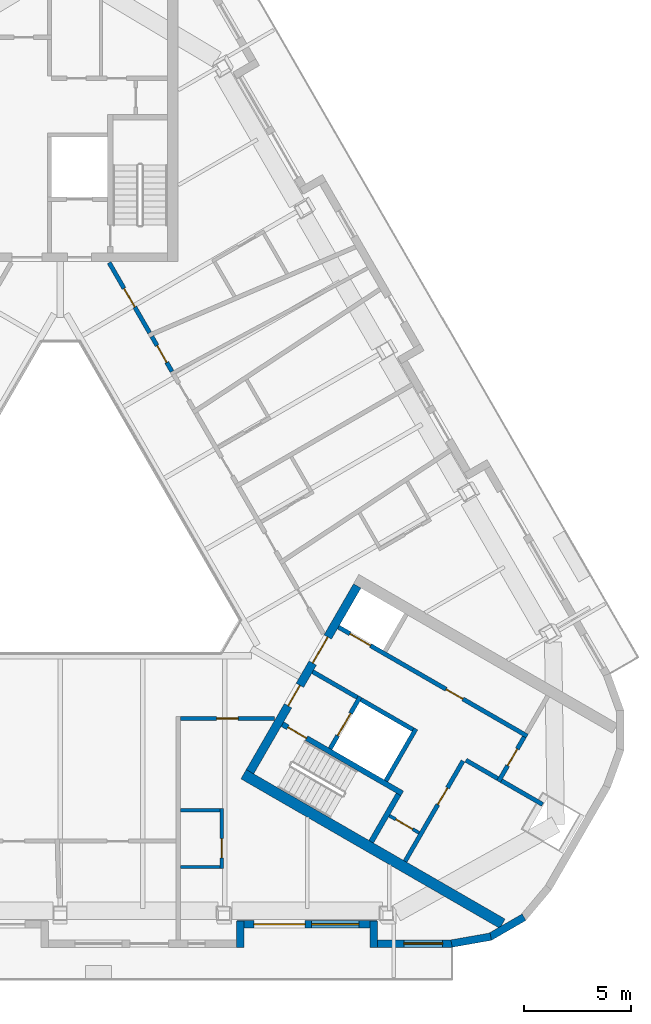
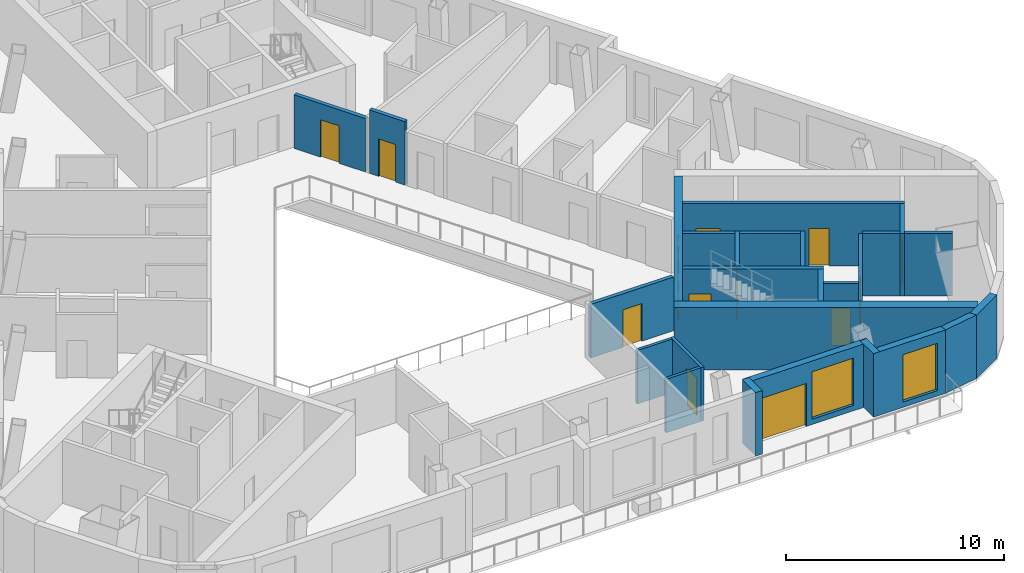
# One storey, part 5 of 14: 26 walls, 14 doors, 2 windows, 16 openings.
"""IFC4 building model written with IfcOpenShell, lengths in metres."""

from ifc_helpers import new_model, si_unit, direction, frame, frame_2d, origin, place, context, subcontext, project, spatial, rectangle, extrude, material, layer, layer_set, type_object, element, fill, save


model = new_model("IFC4")

# Units and contexts
model_context = context("Model", 3, precision=1e-05, world=origin(), true_north=direction((0.0, 1.0)))
body_context = subcontext(model_context, "Body", "Model", "MODEL_VIEW")
ifc_project = project(units=[si_unit("LENGTHUNIT", "METRE"), si_unit("AREAUNIT", "SQUARE_METRE"), si_unit("VOLUMEUNIT", "CUBIC_METRE"), si_unit("PLANEANGLEUNIT", "RADIAN"), si_unit("MASSUNIT", "GRAM", prefix="KILO")], contexts=[model_context])

# Site, building, storey
site_placement = place(None, origin())
site = spatial("IfcSite", under=ifc_project, at=site_placement, CompositionType="ELEMENT")
building_placement = place(site_placement, origin())
building = spatial("IfcBuilding", under=site, at=building_placement, Name="Apuvela Tower Hotel", CompositionType="ELEMENT")
storey_placement = place(building_placement, frame((0.0, 0.0, 265.199951171875)))
storey = spatial("IfcBuildingStorey", under=building, at=storey_placement, Name="L65", CompositionType="ELEMENT", Elevation=265.199951171875)

# Wall, openings, doors
ifc_material_1 = material(Name="Concrete C50/60", Category="concrete")
ifc_layer_1 = layer(ifc_material_1, 0.39990234375)
ifc_layer_set_1 = layer_set([ifc_layer_1], Name="COR-WALL-CORE-400")
wall_type_1 = type_object("IfcWallType", Name="COR-WALL-CORE-400", PredefinedType="SHEAR", material=ifc_layer_set_1)
wall_1_placement = place(storey_placement, frame((8.844970703125, -10.880126953125, 0.0), z_axis=(0.0, 0.0, 1.0), x_axis=(0.500004234368, 0.866022959057, 0.0)))
wall_1 = element("IfcWall", 1, at=wall_1_placement, inside=storey, type_object=wall_type_1, Name="Core wall SE", PredefinedType="SHEAR", context=body_context, shape_type="SweptSolid", body=[
    extrude(rectangle(XDim=10.0, YDim=0.39990234375, at=frame_2d((5.0, 0.0))), origin(), (0.0, 0.0, 1.0), 3.5),
])
opening_1_placement = place(wall_1_placement, frame((3.550048828125, 0.0, 0.0)))
opening_1 = element("IfcOpeningElement", 2, at=opening_1_placement, cuts=wall_1, Name="Opening E-FD", PredefinedType="OPENING", context=body_context, shape_type="SweptSolid", body=[
    extrude(rectangle(XDim=1.10009765625, YDim=2.10009765625, at=frame_2d((0.550048828125, 1.050048828125))), frame((0.0, 0.2099609375, 0.0), z_axis=(0.0, -1.0, 0.0), x_axis=(1.0, 0.0, 0.0)), (0.0, 0.0, 1.0), 0.419921875),
])
opening_2_placement = place(wall_1_placement, frame((5.85009765625, 0.0, 0.0)))
opening_2 = element("IfcOpeningElement", 3, at=opening_2_placement, cuts=wall_1, Name="Opening E-GD", PredefinedType="OPENING", context=body_context, shape_type="SweptSolid", body=[
    extrude(rectangle(XDim=1.39990234375, YDim=2.10009765625, at=frame_2d((0.699951171875, 1.050048828125))), frame((0.0, 0.2099609375, 0.0), z_axis=(0.0, -1.0, 0.0), x_axis=(1.0, 0.0, 0.0)), (0.0, 0.0, 1.0), 0.419921875),
])
ifc_material_2 = material(Name="Steel fire door, powder coated", Category="steel")
door_type_1 = type_object("IfcDoorType", Name="COR-FD-1100", OperationType="NOTDEFINED", PredefinedType="DOOR", material=ifc_material_2)
door_1_placement = place(opening_1_placement, frame((1.10009765625, 0.0, 0.0), z_axis=(0.0, 0.0, 1.0), x_axis=(-1.0, 0.0, 0.0)))
door_1 = element("IfcDoor", 4, at=door_1_placement, inside=storey, type_object=door_type_1, Name="Firefighting lobby door E-FD", OperationType="SINGLE_SWING_LEFT", OverallHeight=2.10009765625, OverallWidth=1.10009765625, PredefinedType="DOOR", context=body_context, shape_type="SweptSolid", body=[
    extrude(rectangle(XDim=1.10009765625, YDim=2.10009765625, at=frame_2d((0.550048828125, 1.050048828125))), frame((0.0, 0.02490234375, 0.0), z_axis=(0.0, -1.0, 0.0), x_axis=(1.0, 0.0, 0.0)), (0.0, 0.0, 1.0), 0.050048828125),
])
fill(opening_1, door_1)
ifc_material_3 = material(Name="Glazed steel fire door", Category="steel")
door_type_2 = type_object("IfcDoorType", Name="COR-GD-1400", OperationType="DOUBLE_DOOR_SINGLE_SWING", PredefinedType="DOOR", material=ifc_material_3)
door_2_placement = place(opening_2_placement, frame((1.39990234375, 0.0, 0.0), z_axis=(0.0, 0.0, 1.0), x_axis=(-1.0, 0.0, 0.0)))
door_2 = element("IfcDoor", 5, at=door_2_placement, inside=storey, type_object=door_type_2, Name="Lift lobby door E-GD", OperationType="DOUBLE_DOOR_SINGLE_SWING", OverallHeight=2.10009765625, OverallWidth=1.39990234375, PredefinedType="DOOR", context=body_context, shape_type="SweptSolid", body=[
    extrude(rectangle(XDim=1.39990234375, YDim=2.10009765625, at=frame_2d((0.699951171875, 1.050048828125))), frame((0.0, 0.02490234375, 0.0), z_axis=(0.0, -1.0, 0.0), x_axis=(1.0, 0.0, 0.0)), (0.0, 0.0, 1.0), 0.050048828125),
])
fill(opening_2, door_2)

# Wall
ifc_layer_2 = layer(ifc_material_1, 0.5)
ifc_layer_set_2 = layer_set([ifc_layer_2], Name="COR-WALL-CORE-500")
wall_type_2 = type_object("IfcWallType", Name="COR-WALL-CORE-500", PredefinedType="SHEAR", material=ifc_layer_set_2)
wall_2_placement = place(storey_placement, frame((8.546630859375, -10.99658203125, 0.0), z_axis=(0.0, 0.0, 1.0), x_axis=(0.86602744543, -0.49999646375, 0.0)))
element("IfcWall", 6, at=wall_2_placement, inside=storey, type_object=wall_type_2, Name="Core wall SE", PredefinedType="SHEAR", context=body_context, shape_type="SweptSolid", body=[
    extrude(rectangle(XDim=13.93408203125, YDim=0.5, at=frame_2d((6.967041015625, 0.0))), origin(), (0.0, 0.0, 1.0), 3.5),
])

# Wall, opening, door
ifc_material_4 = material(Name="Blockwork 150 mm plastered", Category="masonry")
ifc_layer_3 = layer(ifc_material_4, 0.14990234375)
ifc_layer_set_3 = layer_set([ifc_layer_3], Name="COR-WALL-PART-150")
wall_type_3 = type_object("IfcWallType", Name="COR-WALL-PART-150", PredefinedType="PARTITIONING", material=ifc_layer_set_3)
wall_3_placement = place(storey_placement, frame((15.341552734375, -12.927734375, 0.0), z_axis=(0.0, 0.0, 1.0), x_axis=(0.865989903783, -0.500061482766, 0.0)))
wall_3 = element("IfcWall", 7, at=wall_3_placement, inside=storey, type_object=wall_type_3, Name="Partition SE", PredefinedType="PARTITIONING", context=body_context, shape_type="SweptSolid", body=[
    extrude(rectangle(XDim=1.599853515625, YDim=0.14990234375, at=frame_2d((0.7998046875, 0.0))), origin(), (0.0, 0.0, 1.0), 3.5),
])
opening_3_placement = place(wall_3_placement, frame((0.35009765625, 0.0, 0.0)))
opening_3 = element("IfcOpeningElement", 8, at=opening_3_placement, cuts=wall_3, Name="Opening E-RD", PredefinedType="OPENING", context=body_context, shape_type="SweptSolid", body=[
    extrude(rectangle(XDim=0.89990234375, YDim=2.10009765625, at=frame_2d((0.449951171875, 1.050048828125))), frame((0.0, 0.0849609375, 0.0), z_axis=(0.0, -1.0, 0.0), x_axis=(1.0, 0.0, 0.0)), (0.0, 0.0, 1.0), 0.169921875),
])
ifc_material_5 = material(Name="Steel access door, powder coated", Category="steel")
door_type_3 = type_object("IfcDoorType", Name="COR-RD-900", OperationType="NOTDEFINED", PredefinedType="DOOR", material=ifc_material_5)
door_3_placement = place(opening_3_placement, frame((0.89990234375, 0.0, 0.0), z_axis=(0.0, 0.0, 1.0), x_axis=(-1.0, 0.0, 0.0)))
door_3 = element("IfcDoor", 9, at=door_3_placement, inside=storey, type_object=door_type_3, Name="Riser door E-RD", OperationType="SINGLE_SWING_LEFT", OverallHeight=2.10009765625, OverallWidth=0.89990234375, PredefinedType="DOOR", context=body_context, shape_type="SweptSolid", body=[
    extrude(rectangle(XDim=0.89990234375, YDim=2.10009765625, at=frame_2d((0.449951171875, 1.050048828125))), frame((0.0, 0.02490234375, 0.0), z_axis=(0.0, -1.0, 0.0), x_axis=(1.0, 0.0, 0.0)), (0.0, 0.0, 1.0), 0.050048828125),
])
fill(opening_3, door_3)

ifc_material_6 = material(Name="Blockwork 200 mm plastered", Category="masonry")
ifc_layer_4 = layer(ifc_material_6, 0.199951171875)
ifc_layer_set_4 = layer_set([ifc_layer_4], Name="COR-WALL-PART-200")
wall_type_4 = type_object("IfcWallType", Name="COR-WALL-PART-200", PredefinedType="PARTITIONING", material=ifc_layer_set_4)
wall_4_placement = place(storey_placement, frame((16.076171875, -15.05517578125, 0.0), z_axis=(0.0, 0.0, 1.0), x_axis=(0.499995103361, 0.866028230842, 0.0)))
wall_4 = element("IfcWall", 10, at=wall_4_placement, inside=storey, type_object=wall_type_4, Name="Partition SE", PredefinedType="PARTITIONING", context=body_context, shape_type="SweptSolid", body=[
    extrude(rectangle(XDim=5.39990234375, YDim=0.199951171875, at=frame_2d((2.699951171875, 0.0))), origin(), (0.0, 0.0, 1.0), 3.5),
])
opening_4_placement = place(wall_4_placement, frame((3.050048828125, 0.0, 0.0)))
opening_4 = element("IfcOpeningElement", 11, at=opening_4_placement, cuts=wall_4, Name="Opening E-RS1", PredefinedType="OPENING", context=body_context, shape_type="SweptSolid", body=[
    extrude(rectangle(XDim=0.89990234375, YDim=2.10009765625, at=frame_2d((0.449951171875, 1.050048828125))), frame((0.0, 0.10986328125, 0.0), z_axis=(0.0, -1.0, 0.0), x_axis=(1.0, 0.0, 0.0)), (0.0, 0.0, 1.0), 0.219970703125),
])
door_type_4 = type_object("IfcDoorType", Name="COR-DR-900", OperationType="NOTDEFINED", PredefinedType="DOOR", material=ifc_material_2)
door_4_placement = place(opening_4_placement, frame((0.89990234375, 0.0, 0.0), z_axis=(0.0, 0.0, 1.0), x_axis=(-1.0, 0.0, 0.0)))
door_4 = element("IfcDoor", 12, at=door_4_placement, inside=storey, type_object=door_type_4, Name="Store door E-RS1", OperationType="SINGLE_SWING_LEFT", OverallHeight=2.10009765625, OverallWidth=0.89990234375, PredefinedType="DOOR", context=body_context, shape_type="SweptSolid", body=[
    extrude(rectangle(XDim=0.89990234375, YDim=2.10009765625, at=frame_2d((0.449951171875, 1.050048828125))), frame((0.0, 0.02490234375, 0.0), z_axis=(0.0, -1.0, 0.0), x_axis=(1.0, 0.0, 0.0)), (0.0, 0.0, 1.0), 0.050048828125),
])
fill(opening_4, door_4)

# Wall
ifc_layer_5 = layer(ifc_material_1, 0.199951171875)
ifc_layer_set_5 = layer_set([ifc_layer_5], Name="COR-WALL-SHAFT-200")
wall_type_5 = type_object("IfcWallType", Name="COR-WALL-SHAFT-200", PredefinedType="SHEAR", material=ifc_layer_set_5)
wall_5_placement = place(storey_placement, frame((15.181396484375, -11.305419921875, 0.0), z_axis=(0.0, 0.0, 1.0), x_axis=(0.49994636267, 0.866056369097, 0.0)))
element("IfcWall", 13, at=wall_5_placement, inside=storey, type_object=wall_type_5, Name="Shaft wall SE", PredefinedType="SHEAR", context=body_context, shape_type="SweptSolid", body=[
    extrude(rectangle(XDim=2.800048828125, YDim=0.199951171875, at=frame_2d((1.39990234375, 0.0))), origin(), (0.0, 0.0, 1.0), 3.5),
])

# Wall, opening, door
wall_6_placement = place(storey_placement, frame((12.583251953125, -9.805419921875, 0.0), z_axis=(0.0, 0.0, 1.0), x_axis=(0.49994636267, 0.866056369097, 0.0)))
wall_6 = element("IfcWall", 14, at=wall_6_placement, inside=storey, type_object=wall_type_5, Name="Shaft wall SE", PredefinedType="SHEAR", context=body_context, shape_type="SweptSolid", body=[
    extrude(rectangle(XDim=2.800048828125, YDim=0.199951171875, at=frame_2d((1.39990234375, 0.0))), origin(), (0.0, 0.0, 1.0), 3.5),
])
opening_5_placement = place(wall_6_placement, frame((0.699951171875, 0.0, 0.0)))
opening_5 = element("IfcOpeningElement", 15, at=opening_5_placement, cuts=wall_6, Name="Opening E-LD-FS3", PredefinedType="OPENING", context=body_context, shape_type="SweptSolid", body=[
    extrude(rectangle(XDim=1.199951171875, YDim=2.10009765625, at=frame_2d((0.60009765625, 1.050048828125))), frame((0.0, 0.10986328125, 0.0), z_axis=(0.0, -1.0, 0.0), x_axis=(1.0, 0.0, 0.0)), (0.0, 0.0, 1.0), 0.219970703125),
])
ifc_material_7 = material(Name="Stainless steel lift landing door", Category="steel")
door_type_5 = type_object("IfcDoorType", Name="COR-LD-1200", OperationType="DOUBLE_DOOR_SLIDING", PredefinedType="DOOR", material=ifc_material_7)
door_5_placement = place(opening_5_placement, origin())
door_5 = element("IfcDoor", 16, at=door_5_placement, inside=storey, type_object=door_type_5, Name="Lift landing door E-LD-FS3", OperationType="DOUBLE_DOOR_SLIDING", OverallHeight=2.10009765625, OverallWidth=1.199951171875, PredefinedType="DOOR", context=body_context, shape_type="SweptSolid", body=[
    extrude(rectangle(XDim=1.199951171875, YDim=2.10009765625, at=frame_2d((0.60009765625, 1.050048828125))), frame((0.0, 0.02490234375, 0.0), z_axis=(0.0, -1.0, 0.0), x_axis=(1.0, 0.0, 0.0)), (0.0, 0.0, 1.0), 0.050048828125),
])
fill(opening_5, door_5)

# Walls
wall_7_placement = place(storey_placement, frame((11.76806640625, -6.217041015625, 0.0), z_axis=(0.0, 0.0, 1.0), x_axis=(0.866050077142, -0.499957262057, 0.0)))
element("IfcWall", 17, at=wall_7_placement, inside=storey, type_object=wall_type_5, Name="Shaft wall SE", PredefinedType="SHEAR", context=body_context, shape_type="SweptSolid", body=[
    extrude(rectangle(XDim=2.400146484375, YDim=0.199951171875, at=frame_2d((1.2001953125, 0.0))), origin(), (0.0, 0.0, 1.0), 3.5),
])
wall_8_placement = place(storey_placement, frame((14.019775390625, -7.51708984375, 0.0), z_axis=(0.0, 0.0, 1.0), x_axis=(0.866034573852, -0.49998411664, 0.0)))
element("IfcWall", 18, at=wall_8_placement, inside=storey, type_object=wall_type_5, Name="Shaft wall SE", PredefinedType="SHEAR", context=body_context, shape_type="SweptSolid", body=[
    extrude(rectangle(XDim=2.7998046875, YDim=0.199951171875, at=frame_2d((1.39990234375, 0.0))), origin(), (0.0, 0.0, 1.0), 3.5),
])

# Wall, openings, doors
wall_9_placement = place(storey_placement, frame((12.968017578125, -4.138427734375, 0.0), z_axis=(0.0, 0.0, 1.0), x_axis=(0.866028328073, -0.49999493495, 0.0)))
wall_9 = element("IfcWall", 19, at=wall_9_placement, inside=storey, type_object=wall_type_5, Name="Shaft wall SE", PredefinedType="SHEAR", context=body_context, shape_type="SweptSolid", body=[
    extrude(rectangle(XDim=10.16015625, YDim=0.199951171875, at=frame_2d((5.080078125, 0.0))), origin(), (0.0, 0.0, 1.0), 3.5),
])
opening_6_placement = place(wall_9_placement, frame((0.6201171875, 0.0, 0.0)))
opening_6 = element("IfcOpeningElement", 20, at=opening_6_placement, cuts=wall_9, Name="Opening E-LD-HR3", PredefinedType="OPENING", context=body_context, shape_type="SweptSolid", body=[
    extrude(rectangle(XDim=1.10009765625, YDim=2.10009765625, at=frame_2d((0.550048828125, 1.050048828125))), frame((0.0, 0.10986328125, 0.0), z_axis=(0.0, -1.0, 0.0), x_axis=(1.0, 0.0, 0.0)), (0.0, 0.0, 1.0), 0.219970703125),
])
opening_7_placement = place(wall_9_placement, frame((5.800048828125, 0.0, 0.0)))
opening_7 = element("IfcOpeningElement", 21, at=opening_7_placement, cuts=wall_9, Name="Opening E-RE2", PredefinedType="OPENING", context=body_context, shape_type="SweptSolid", body=[
    extrude(rectangle(XDim=0.89990234375, YDim=2.10009765625, at=frame_2d((0.449951171875, 1.050048828125))), frame((0.0, 0.10986328125, 0.0), z_axis=(0.0, -1.0, 0.0), x_axis=(1.0, 0.0, 0.0)), (0.0, 0.0, 1.0), 0.219970703125),
])
door_6_placement = place(opening_7_placement, origin())
door_6 = element("IfcDoor", 22, at=door_6_placement, inside=storey, type_object=door_type_4, Name="Store door E-RE2", OperationType="SINGLE_SWING_LEFT", OverallHeight=2.10009765625, OverallWidth=0.89990234375, PredefinedType="DOOR", context=body_context, shape_type="SweptSolid", body=[
    extrude(rectangle(XDim=0.89990234375, YDim=2.10009765625, at=frame_2d((0.449951171875, 1.050048828125))), frame((0.0, 0.02490234375, 0.0), z_axis=(0.0, -1.0, 0.0), x_axis=(1.0, 0.0, 0.0)), (0.0, 0.0, 1.0), 0.050048828125),
])
fill(opening_7, door_6)
door_type_6 = type_object("IfcDoorType", Name="COR-LD-1100", OperationType="DOUBLE_DOOR_SLIDING", PredefinedType="DOOR", material=ifc_material_7)
door_7_placement = place(opening_6_placement, origin())
door_7 = element("IfcDoor", 23, at=door_7_placement, inside=storey, type_object=door_type_6, Name="Lift landing door E-LD-HR3", OperationType="DOUBLE_DOOR_SLIDING", OverallHeight=2.10009765625, OverallWidth=1.10009765625, PredefinedType="DOOR", context=body_context, shape_type="SweptSolid", body=[
    extrude(rectangle(XDim=1.10009765625, YDim=2.10009765625, at=frame_2d((0.550048828125, 1.050048828125))), frame((0.0, 0.02490234375, 0.0), z_axis=(0.0, -1.0, 0.0), x_axis=(1.0, 0.0, 0.0)), (0.0, 0.0, 1.0), 0.050048828125),
])
fill(opening_6, door_7)

# Wall, opening, door
wall_10_placement = place(storey_placement, frame((20.430419921875, -11.33349609375, 0.0), z_axis=(0.0, 0.0, 1.0), x_axis=(0.500001309137, 0.866024647952, 0.0)))
wall_10 = element("IfcWall", 24, at=wall_10_placement, inside=storey, type_object=wall_type_5, Name="Shaft wall SE", PredefinedType="SHEAR", context=body_context, shape_type="SweptSolid", body=[
    extrude(rectangle(XDim=2.39990234375, YDim=0.199951171875, at=frame_2d((1.199951171875, 0.0))), origin(), (0.0, 0.0, 1.0), 3.5),
])
opening_8_placement = place(wall_10_placement, frame((0.85009765625, 0.0, 0.0)))
opening_8 = element("IfcOpeningElement", 25, at=opening_8_placement, cuts=wall_10, Name="Opening E-REP", PredefinedType="OPENING", context=body_context, shape_type="SweptSolid", body=[
    extrude(rectangle(XDim=0.89990234375, YDim=2.10009765625, at=frame_2d((0.449951171875, 1.050048828125))), frame((0.0, 0.10986328125, 0.0), z_axis=(0.0, -1.0, 0.0), x_axis=(1.0, 0.0, 0.0)), (0.0, 0.0, 1.0), 0.219970703125),
])
door_8_placement = place(opening_8_placement, frame((0.89990234375, 0.0, 0.0), z_axis=(0.0, 0.0, 1.0), x_axis=(-1.0, 0.0, 0.0)))
door_8 = element("IfcDoor", 26, at=door_8_placement, inside=storey, type_object=door_type_4, Name="Store door E-REP", OperationType="SINGLE_SWING_RIGHT", OverallHeight=2.10009765625, OverallWidth=0.89990234375, PredefinedType="DOOR", context=body_context, shape_type="SweptSolid", body=[
    extrude(rectangle(XDim=0.89990234375, YDim=2.10009765625, at=frame_2d((0.449951171875, 1.050048828125))), frame((0.0, 0.02490234375, 0.0), z_axis=(0.0, -1.0, 0.0), x_axis=(1.0, 0.0, 0.0)), (0.0, 0.0, 1.0), 0.050048828125),
])
fill(opening_8, door_8)

# Walls
wall_11_placement = place(storey_placement, frame((18.912841796875, -10.342041015625, 0.0), z_axis=(0.0, 0.0, 1.0), x_axis=(0.866038183914, -0.499977863513, 0.0)))
element("IfcWall", 27, at=wall_11_placement, inside=storey, type_object=wall_type_5, Name="Shaft wall SE", PredefinedType="SHEAR", context=body_context, shape_type="SweptSolid", body=[
    extrude(rectangle(XDim=1.7099609375, YDim=0.199951171875, at=frame_2d((0.85498046875, 0.0))), origin(), (0.0, 0.0, 1.0), 3.5),
])
wall_12_placement = place(storey_placement, frame((20.56689453125, -11.297119140625, 0.0), z_axis=(0.0, 0.0, 1.0), x_axis=(0.866079196458, -0.49990681678, 0.0)))
element("IfcWall", 28, at=wall_12_placement, inside=storey, type_object=wall_type_5, Name="Shaft wall SE", PredefinedType="SHEAR", context=body_context, shape_type="SweptSolid", body=[
    extrude(rectangle(XDim=2.21630859375, YDim=0.199951171875, at=frame_2d((1.108154296875, 0.0))), origin(), (0.0, 0.0, 1.0), 3.5),
])

# Wall, opening, door
ifc_layer_6 = layer(ifc_material_1, 0.25)
ifc_layer_set_6 = layer_set([ifc_layer_6], Name="COR-WALL-STAIR-250")
wall_type_6 = type_object("IfcWallType", Name="COR-WALL-STAIR-250", PredefinedType="SHEAR", material=ifc_layer_set_6)
wall_13_placement = place(storey_placement, frame((10.355712890625, -8.66357421875, 0.0), z_axis=(0.0, 0.0, 1.0), x_axis=(0.866028629588, -0.499994412703, 0.0)))
wall_13 = element("IfcWall", 29, at=wall_13_placement, inside=storey, type_object=wall_type_6, Name="Stair wall SE", PredefinedType="SHEAR", context=body_context, shape_type="SweptSolid", body=[
    extrude(rectangle(XDim=6.44970703125, YDim=0.25, at=frame_2d((3.224853515625, 0.0))), origin(), (0.0, 0.0, 1.0), 3.5),
])
opening_9_placement = place(wall_13_placement, frame((0.300048828125, 0.0, 0.0)))
opening_9 = element("IfcOpeningElement", 30, at=opening_9_placement, cuts=wall_13, Name="Opening E-SD", PredefinedType="OPENING", context=body_context, shape_type="SweptSolid", body=[
    extrude(rectangle(XDim=1.0, YDim=2.10009765625, at=frame_2d((0.5, 1.050048828125))), frame((0.0, 0.135009765625, 0.0), z_axis=(0.0, -1.0, 0.0), x_axis=(1.0, 0.0, 0.0)), (0.0, 0.0, 1.0), 0.27001953125),
])
door_type_7 = type_object("IfcDoorType", Name="COR-SD-1000", OperationType="NOTDEFINED", PredefinedType="DOOR", material=ifc_material_2)
door_9_placement = place(opening_9_placement, frame((1.0, 0.0, 0.0), z_axis=(0.0, 0.0, 1.0), x_axis=(-1.0, 0.0, 0.0)))
door_9 = element("IfcDoor", 31, at=door_9_placement, inside=storey, type_object=door_type_7, Name="Stair door E-SD", OperationType="SINGLE_SWING_LEFT", OverallHeight=2.10009765625, OverallWidth=1.0, PredefinedType="DOOR", context=body_context, shape_type="SweptSolid", body=[
    extrude(rectangle(XDim=1.0, YDim=2.10009765625, at=frame_2d((0.5, 1.050048828125))), frame((0.0, 0.02490234375, 0.0), z_axis=(0.0, -1.0, 0.0), x_axis=(1.0, 0.0, 0.0)), (0.0, 0.0, 1.0), 0.050048828125),
])
fill(opening_9, door_9)

# Walls
wall_14_placement = place(storey_placement, frame((14.49560546875, -14.142578125, 0.0), z_axis=(0.0, 0.0, 1.0), x_axis=(0.500062241894, 0.865989465428, 0.0)))
element("IfcWall", 32, at=wall_14_placement, inside=storey, type_object=wall_type_6, Name="Stair wall SE", PredefinedType="SHEAR", context=body_context, shape_type="SweptSolid", body=[
    extrude(rectangle(XDim=2.550048828125, YDim=0.25, at=frame_2d((1.27490234375, 0.0))), origin(), (0.0, 0.0, 1.0), 3.5),
])
ifc_material_8 = material(Name="Concrete C40/50, dark pigmented precast panel", Category="concrete")
ifc_layer_7 = layer(ifc_material_8, 0.35009765625)
ifc_layer_set_7 = layer_set([ifc_layer_7], Name="ENV-WALL-350")
wall_type_7 = type_object("IfcWallType", Name="ENV-WALL-350", PredefinedType="SOLIDWALL", material=ifc_layer_set_7)
wall_15_placement = place(storey_placement, frame((8.396728515625, -19.06298828125, 0.0), z_axis=(0.0, 0.0, 1.0), x_axis=(0.0, 1.0, 0.0)))
element("IfcWall", 33, at=wall_15_placement, inside=storey, type_object=wall_type_7, Name="External wall L65-22", PredefinedType="SOLIDWALL", context=body_context, shape_type="SweptSolid", body=[
    extrude(rectangle(XDim=1.219970703125, YDim=0.35009765625, at=frame_2d((0.60986328125, 0.0))), origin(), (0.0, 0.0, 1.0), 3.550048828125),
])

# Wall, openings, door, window
wall_16_placement = place(storey_placement, frame((8.251708984375, -17.98779296875, 0.0), z_axis=(0.0, 0.0, 1.0), x_axis=(1.0, 0.0, 0.0)))
wall_16 = element("IfcWall", 34, at=wall_16_placement, inside=storey, type_object=wall_type_7, Name="External wall L65-23", PredefinedType="SOLIDWALL", context=body_context, shape_type="SweptSolid", body=[
    extrude(rectangle(XDim=6.51171875, YDim=0.35009765625, at=frame_2d((3.255859375, 0.0))), origin(), (0.0, 0.0, 1.0), 3.550048828125),
])
opening_10_placement = place(wall_16_placement, frame((0.77001953125, 0.0, 0.0)))
opening_10 = element("IfcOpeningElement", 35, at=opening_10_placement, cuts=wall_16, Name="Opening BD24", PredefinedType="OPENING", context=body_context, shape_type="SweptSolid", body=[
    extrude(rectangle(XDim=2.39990234375, YDim=2.39990234375, at=frame_2d((1.199951171875, 1.199951171875))), frame((0.0, 0.18505859375, 0.0), z_axis=(0.0, -1.0, 0.0), x_axis=(1.0, 0.0, 0.0)), (0.0, 0.0, 1.0), 0.3701171875),
])
opening_11_placement = place(wall_16_placement, frame((3.469970703125, 0.0, 0.300048828125)))
opening_11 = element("IfcOpeningElement", 36, at=opening_11_placement, cuts=wall_16, Name="Opening WN22", PredefinedType="OPENING", context=body_context, shape_type="SweptSolid", body=[
    extrude(rectangle(XDim=2.199951171875, YDim=2.64990234375, at=frame_2d((1.10009765625, 1.324951171875))), frame((0.0, 0.18505859375, 0.0), z_axis=(0.0, -1.0, 0.0), x_axis=(1.0, 0.0, 0.0)), (0.0, 0.0, 1.0), 0.3701171875),
])
ifc_material_9 = material(Name="Aluminium 6063-T6, dark bronze anodised frame with dark tinted laminated glass", Category="aluminium")
door_type_8 = type_object("IfcDoorType", Name="ENV-DOOR-BALCONY-2400x2400", OperationType="SLIDING_TO_LEFT", PredefinedType="DOOR", material=ifc_material_9)
door_10_placement = place(opening_10_placement, frame((2.39990234375, 0.0, 0.0), z_axis=(0.0, 0.0, 1.0), x_axis=(-1.0, 0.0, 0.0)))
door_10 = element("IfcDoor", 37, at=door_10_placement, inside=storey, type_object=door_type_8, Name="Balcony door BD24", OperationType="SLIDING_TO_LEFT", OverallHeight=2.39990234375, OverallWidth=2.39990234375, PredefinedType="DOOR", context=body_context, shape_type="SweptSolid", body=[
    extrude(rectangle(XDim=2.39990234375, YDim=2.39990234375, at=frame_2d((1.199951171875, 1.199951171875))), frame((0.0, 0.02490234375, 0.0), z_axis=(0.0, -1.0, 0.0), x_axis=(1.0, 0.0, 0.0)), (0.0, 0.0, 1.0), 0.050048828125),
])
fill(opening_10, door_10)
ifc_material_10 = material(Name="Glass, dark tinted laminated insulated glazing unit", Category="glass")
window_type_1 = type_object("IfcWindowType", Name="ENV-WIN-2200x2650", PartitioningType="SINGLE_PANEL", PredefinedType="WINDOW", material=ifc_material_10)
window_1_placement = place(opening_11_placement, origin())
window_1 = element("IfcWindow", 38, at=window_1_placement, inside=storey, type_object=window_type_1, Name="Window WN22", OverallHeight=2.64990234375, OverallWidth=2.199951171875, PartitioningType="SINGLE_PANEL", PredefinedType="WINDOW", context=body_context, shape_type="SweptSolid", body=[
    extrude(rectangle(XDim=2.199951171875, YDim=2.64990234375, at=frame_2d((1.10009765625, 1.324951171875))), frame((0.0, 0.030029296875, 0.0), z_axis=(0.0, -1.0, 0.0), x_axis=(1.0, 0.0, 0.0)), (0.0, 0.0, 1.0), 0.06005859375),
])
fill(opening_11, window_1)

# Wall
wall_17_placement = place(storey_placement, frame((14.618408203125, -17.843017578125, 0.0), z_axis=(0.0, 0.0, 1.0), x_axis=(0.0, -1.0, 0.0)))
element("IfcWall", 39, at=wall_17_placement, inside=storey, type_object=wall_type_7, Name="External wall L65-24", PredefinedType="SOLIDWALL", context=body_context, shape_type="SweptSolid", body=[
    extrude(rectangle(XDim=1.219970703125, YDim=0.35009765625, at=frame_2d((0.60986328125, 0.0))), origin(), (0.0, 0.0, 1.0), 3.550048828125),
])

# Wall, opening, window
wall_18_placement = place(storey_placement, frame((14.443603515625, -18.887939453125, 0.0), z_axis=(0.0, 0.0, 1.0), x_axis=(1.0, 0.0, 0.0)))
wall_18 = element("IfcWall", 40, at=wall_18_placement, inside=storey, type_object=wall_type_7, Name="External wall L65-25", PredefinedType="SOLIDWALL", context=body_context, shape_type="SweptSolid", body=[
    extrude(rectangle(XDim=3.82861328125, YDim=0.35009765625, at=frame_2d((1.914306640625, 0.0))), origin(), (0.0, 0.0, 1.0), 3.550048828125),
])
opening_12_placement = place(wall_18_placement, frame((1.581298828125, 0.0, 0.300048828125)))
opening_12 = element("IfcOpeningElement", 41, at=opening_12_placement, cuts=wall_18, Name="Opening WN18", PredefinedType="OPENING", context=body_context, shape_type="SweptSolid", body=[
    extrude(rectangle(XDim=1.800048828125, YDim=2.64990234375, at=frame_2d((0.89990234375, 1.324951171875))), frame((0.0, 0.18505859375, 0.0), z_axis=(0.0, -1.0, 0.0), x_axis=(1.0, 0.0, 0.0)), (0.0, 0.0, 1.0), 0.3701171875),
])
window_type_2 = type_object("IfcWindowType", Name="ENV-WIN-1800x2650", PartitioningType="SINGLE_PANEL", PredefinedType="WINDOW", material=ifc_material_10)
window_2_placement = place(opening_12_placement, origin())
window_2 = element("IfcWindow", 42, at=window_2_placement, inside=storey, type_object=window_type_2, Name="Window WN18", OverallHeight=2.64990234375, OverallWidth=1.800048828125, PartitioningType="SINGLE_PANEL", PredefinedType="WINDOW", context=body_context, shape_type="SweptSolid", body=[
    extrude(rectangle(XDim=1.800048828125, YDim=2.64990234375, at=frame_2d((0.89990234375, 1.324951171875))), frame((0.0, 0.030029296875, 0.0), z_axis=(0.0, -1.0, 0.0), x_axis=(1.0, 0.0, 0.0)), (0.0, 0.0, 1.0), 0.06005859375),
])
fill(opening_12, window_2)

# Walls
wall_19_placement = place(storey_placement, frame((18.241943359375, -18.890625, 0.0), z_axis=(0.0, 0.0, 1.0), x_axis=(0.984791508075, 0.173740282098, 0.0)))
element("IfcWall", 43, at=wall_19_placement, inside=storey, type_object=wall_type_7, Name="External wall L65-26", PredefinedType="SOLIDWALL", context=body_context, shape_type="SweptSolid", body=[
    extrude(rectangle(XDim=1.85498046875, YDim=0.35009765625, at=frame_2d((0.927490234375, 0.0))), origin(), (0.0, 0.0, 1.0), 3.550048828125),
])
wall_20_placement = place(storey_placement, frame((20.011474609375, -18.589111328125, 0.0), z_axis=(0.0, 0.0, 1.0), x_axis=(0.866080385203, 0.499904757295, 0.0)))
element("IfcWall", 44, at=wall_20_placement, inside=storey, type_object=wall_type_7, Name="External wall L65-27", PredefinedType="SOLIDWALL", context=body_context, shape_type="SweptSolid", body=[
    extrude(rectangle(XDim=1.854736328125, YDim=0.35009765625, at=frame_2d((0.92724609375, 0.0))), origin(), (0.0, 0.0, 1.0), 3.550048828125),
])

# Wall, opening, door
ifc_material_11 = material(Name="Gypsum board corridor wall on twin steel stud, acoustic", Category="steel")
ifc_layer_8 = layer(ifc_material_11, 0.199951171875)
ifc_layer_set_8 = layer_set([ifc_layer_8], Name="GST-PW2")
wall_type_8 = type_object("IfcWallType", Name="GST-PW2", PredefinedType="PARTITIONING", material=ifc_layer_set_8)
wall_21_placement = place(storey_placement, frame((9.98828125, -8.39990234375, 0.0), z_axis=(0.0, 0.0, 1.0), x_axis=(-1.0, 0.0, 0.0)))
wall_21 = element("IfcWall", 45, at=wall_21_placement, inside=storey, type_object=wall_type_8, Name="L65 partition 17", PredefinedType="PARTITIONING", context=body_context, shape_type="SweptSolid", body=[
    extrude(rectangle(XDim=4.38818359375, YDim=0.199951171875, at=frame_2d((2.194091796875, 0.0))), origin(), (0.0, 0.0, 1.0), 3.0),
])
opening_13_placement = place(wall_21_placement, frame((1.694091796875, 0.0, 0.0)))
opening_13 = element("IfcOpeningElement", 46, at=opening_13_placement, cuts=wall_21, Name="Opening GD25-06", PredefinedType="OPENING", context=body_context, shape_type="SweptSolid", body=[
    extrude(rectangle(XDim=1.0, YDim=2.10009765625, at=frame_2d((0.5, 1.050048828125))), frame((0.0, 0.10986328125, 0.0), z_axis=(0.0, -1.0, 0.0), x_axis=(1.0, 0.0, 0.0)), (0.0, 0.0, 1.0), 0.219970703125),
])
ifc_material_12 = material(Name="Timber door leaf in steel frame", Category="steel")
door_type_9 = type_object("IfcDoorType", Name="GST-D1", OperationType="NOTDEFINED", PredefinedType="DOOR", material=ifc_material_12)
door_11_placement = place(opening_13_placement, origin())
door_11 = element("IfcDoor", 47, at=door_11_placement, inside=storey, type_object=door_type_9, Name="Door L65-06", OperationType="SINGLE_SWING_RIGHT", OverallHeight=2.10009765625, OverallWidth=1.0, PredefinedType="DOOR", context=body_context, shape_type="SweptSolid", body=[
    extrude(rectangle(XDim=1.0, YDim=2.10009765625, at=frame_2d((0.5, 1.050048828125))), frame((0.0, 0.02490234375, 0.0), z_axis=(0.0, -1.0, 0.0), x_axis=(1.0, 0.0, 0.0)), (0.0, 0.0, 1.0), 0.050048828125),
])
fill(opening_13, door_11)

wall_22_placement = place(storey_placement, frame((4.26904296875, 9.406005859375, 0.0), z_axis=(0.0, 0.0, 1.0), x_axis=(0.499973055223, -0.8660409598, 0.0)))
wall_22 = element("IfcWall", 48, at=wall_22_placement, inside=storey, type_object=wall_type_8, Name="L65 partition 33", PredefinedType="PARTITIONING", context=body_context, shape_type="SweptSolid", body=[
    extrude(rectangle(XDim=1.88330078125, YDim=0.199951171875, at=frame_2d((0.941650390625, 0.0))), origin(), (0.0, 0.0, 1.0), 3.550048828125),
])
opening_14_placement = place(wall_22_placement, frame((0.49169921875, 0.0, 0.0)))
opening_14 = element("IfcOpeningElement", 49, at=opening_14_placement, cuts=wall_22, Name="Opening GD25-14", PredefinedType="OPENING", context=body_context, shape_type="SweptSolid", body=[
    extrude(rectangle(XDim=0.89990234375, YDim=2.10009765625, at=frame_2d((0.449951171875, 1.050048828125))), frame((0.0, 0.10986328125, 0.0), z_axis=(0.0, -1.0, 0.0), x_axis=(1.0, 0.0, 0.0)), (0.0, 0.0, 1.0), 0.219970703125),
])
door_type_10 = type_object("IfcDoorType", Name="GST-D2", OperationType="NOTDEFINED", PredefinedType="DOOR", material=ifc_material_12)
door_12_placement = place(opening_14_placement, origin())
door_12 = element("IfcDoor", 50, at=door_12_placement, inside=storey, type_object=door_type_10, Name="Door L65-14", OperationType="SINGLE_SWING_RIGHT", OverallHeight=2.10009765625, OverallWidth=0.89990234375, PredefinedType="DOOR", context=body_context, shape_type="SweptSolid", body=[
    extrude(rectangle(XDim=0.89990234375, YDim=2.10009765625, at=frame_2d((0.449951171875, 1.050048828125))), frame((0.0, 0.02490234375, 0.0), z_axis=(0.0, -1.0, 0.0), x_axis=(1.0, 0.0, 0.0)), (0.0, 0.0, 1.0), 0.050048828125),
])
fill(opening_14, door_12)

wall_23_placement = place(storey_placement, frame((2.280517578125, 12.85009765625, 0.0), z_axis=(0.0, 0.0, 1.0), x_axis=(0.499978071388, -0.866038063904, 0.0)))
wall_23 = element("IfcWall", 51, at=wall_23_placement, inside=storey, type_object=wall_type_8, Name="L65 partition 34", PredefinedType="PARTITIONING", context=body_context, shape_type="SweptSolid", body=[
    extrude(rectangle(XDim=3.775634765625, YDim=0.199951171875, at=frame_2d((1.8876953125, 0.0))), origin(), (0.0, 0.0, 1.0), 3.0),
])
opening_15_placement = place(wall_23_placement, frame((1.3876953125, 0.0, 0.0)))
opening_15 = element("IfcOpeningElement", 52, at=opening_15_placement, cuts=wall_23, Name="Opening GD25-16", PredefinedType="OPENING", context=body_context, shape_type="SweptSolid", body=[
    extrude(rectangle(XDim=1.0, YDim=2.10009765625, at=frame_2d((0.5, 1.050048828125))), frame((0.0, 0.10986328125, 0.0), z_axis=(0.0, -1.0, 0.0), x_axis=(1.0, 0.0, 0.0)), (0.0, 0.0, 1.0), 0.219970703125),
])
door_13_placement = place(opening_15_placement, origin())
door_13 = element("IfcDoor", 53, at=door_13_placement, inside=storey, type_object=door_type_9, Name="Door L65-16", OperationType="SINGLE_SWING_RIGHT", OverallHeight=2.10009765625, OverallWidth=1.0, PredefinedType="DOOR", context=body_context, shape_type="SweptSolid", body=[
    extrude(rectangle(XDim=1.0, YDim=2.10009765625, at=frame_2d((0.5, 1.050048828125))), frame((0.0, 0.02490234375, 0.0), z_axis=(0.0, -1.0, 0.0), x_axis=(1.0, 0.0, 0.0)), (0.0, 0.0, 1.0), 0.050048828125),
])
fill(opening_15, door_13)

ifc_material_13 = material(Name="Moisture-resistant gypsum board wet wall on steel stud", Category="steel")
ifc_layer_9 = layer(ifc_material_13, 0.14990234375)
ifc_layer_set_9 = layer_set([ifc_layer_9], Name="GST-PW3")
wall_type_9 = type_object("IfcWallType", Name="GST-PW3", PredefinedType="PARTITIONING", material=ifc_layer_set_9)
wall_24_placement = place(storey_placement, frame((7.52490234375, -15.39990234375, 0.0), z_axis=(0.0, 0.0, 1.0), x_axis=(0.0, 1.0, 0.0)))
wall_24 = element("IfcWall", 54, at=wall_24_placement, inside=storey, type_object=wall_type_9, Name="L65 partition 18", PredefinedType="PARTITIONING", context=body_context, shape_type="SweptSolid", body=[
    extrude(rectangle(XDim=2.7998046875, YDim=0.14990234375, at=frame_2d((1.39990234375, 0.0))), origin(), (0.0, 0.0, 1.0), 3.0),
])
opening_16_placement = place(wall_24_placement, frame((0.5, 0.0, 0.0)))
opening_16 = element("IfcOpeningElement", 55, at=opening_16_placement, cuts=wall_24, Name="Opening GD25-05", PredefinedType="OPENING", context=body_context, shape_type="SweptSolid", body=[
    extrude(rectangle(XDim=0.89990234375, YDim=2.10009765625, at=frame_2d((0.449951171875, 1.050048828125))), frame((0.0, 0.0849609375, 0.0), z_axis=(0.0, -1.0, 0.0), x_axis=(1.0, 0.0, 0.0)), (0.0, 0.0, 1.0), 0.169921875),
])
door_14_placement = place(opening_16_placement, origin())
door_14 = element("IfcDoor", 56, at=door_14_placement, inside=storey, type_object=door_type_10, Name="Door L65-05", OperationType="SINGLE_SWING_LEFT", OverallHeight=2.10009765625, OverallWidth=0.89990234375, PredefinedType="DOOR", context=body_context, shape_type="SweptSolid", body=[
    extrude(rectangle(XDim=0.89990234375, YDim=2.10009765625, at=frame_2d((0.449951171875, 1.050048828125))), frame((0.0, 0.02490234375, 0.0), z_axis=(0.0, -1.0, 0.0), x_axis=(1.0, 0.0, 0.0)), (0.0, 0.0, 1.0), 0.050048828125),
])
fill(opening_16, door_14)

# Walls
for number, where, z_axis, x_axis, name in (
    (57, (5.60009765625, -15.324951171875, 0.0), (0.0, 0.0, 1.0), (1.0, 0.0, 0.0), "L65 partition 19"),
    (58, (5.60009765625, -12.675048828125, 0.0), (0.0, 0.0, 1.0), (1.0, 0.0, 0.0), "L65 partition 20"),
):
    element("IfcWall", number, at=place(storey_placement, frame(where, z_axis=z_axis, x_axis=x_axis)), inside=storey, type_object=wall_type_9, Name=name, PredefinedType="PARTITIONING", context=body_context, shape_type="SweptSolid", body=[
        extrude(rectangle(XDim=1.849853515625, YDim=0.14990234375, at=frame_2d((0.9248046875, 0.0))), origin(), (0.0, 0.0, 1.0), 3.0),
    ])

save(model, "model.ifc")
